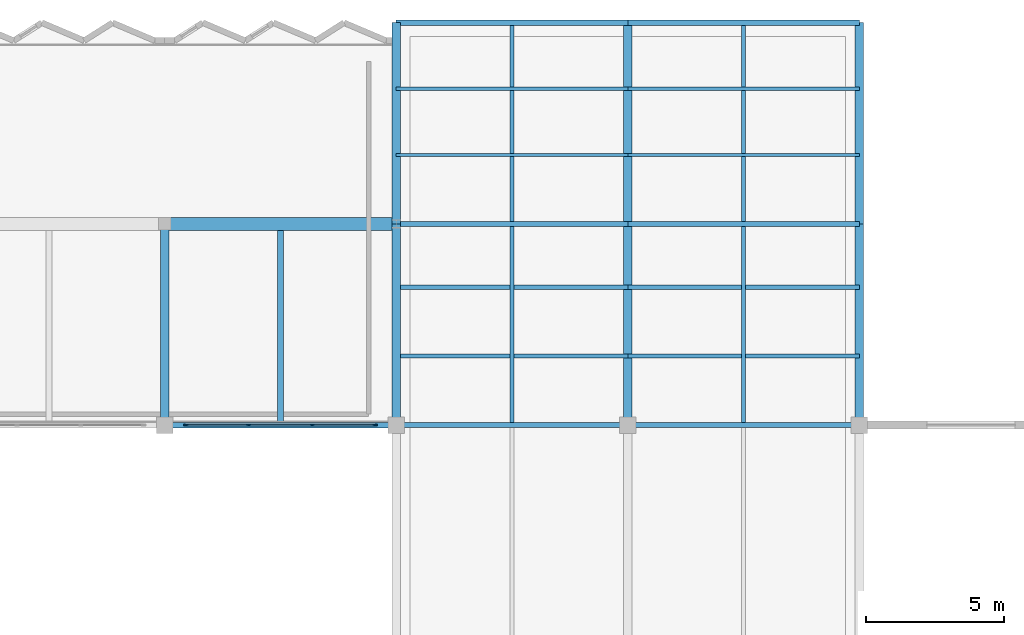
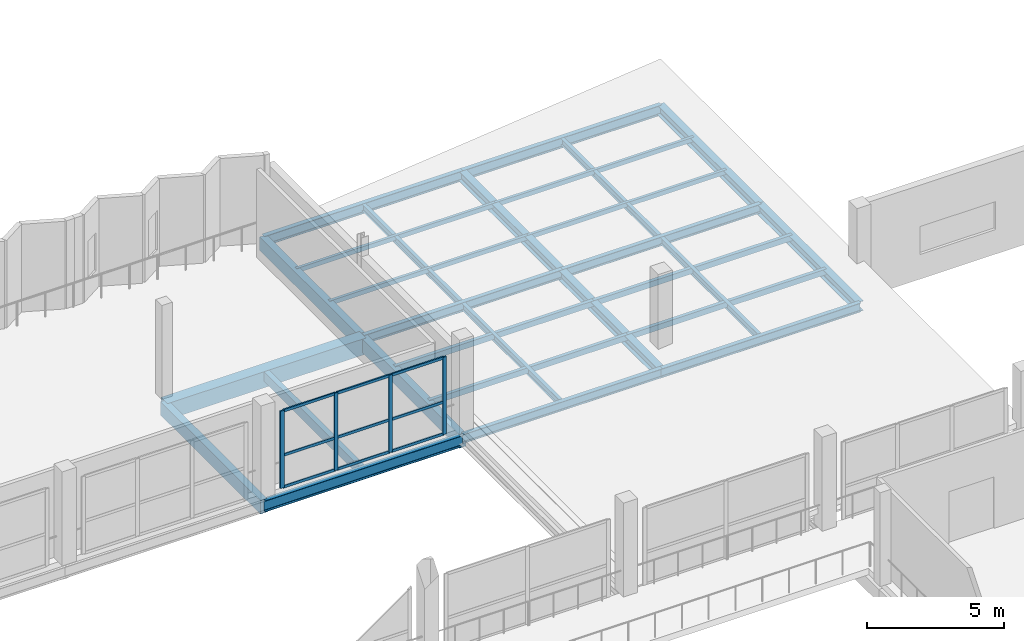
# One storey, part 28 of 53: 21 members, 20 beams, 1 element without a shape of its own.
"""IFC4 building model written with IfcOpenShell, lengths in metres."""

from ifc_helpers import new_model, si_unit, direction, frame, origin, origin_2d, place, context, subcontext, project, spatial, rectangle, hollow_rectangle, i_section, extrude, material, material_profile, profile_set, type_object, element, aggregate, save


model = new_model("IFC4")

# Units and contexts
model_context = context("Model", 3, precision=1e-05, world=origin(), true_north=direction((0.0, 1.0)))
body_context = subcontext(model_context, "Body", "Model", "MODEL_VIEW")
ifc_project = project(units=[si_unit("LENGTHUNIT", "METRE"), si_unit("AREAUNIT", "SQUARE_METRE"), si_unit("VOLUMEUNIT", "CUBIC_METRE"), si_unit("PLANEANGLEUNIT", "RADIAN"), si_unit("MASSUNIT", "GRAM", prefix="KILO")], contexts=[model_context])

# Site, building, storey
site_placement = place(None, origin())
site = spatial("IfcSite", under=ifc_project, at=site_placement, CompositionType="ELEMENT")
building_placement = place(site_placement, origin())
building = spatial("IfcBuilding", under=site, at=building_placement, Name="Vharandega Faculty of Natural Sciences", CompositionType="ELEMENT")
storey_placement = place(building_placement, frame((0.0, 0.0, 10.199951171875)))
storey = spatial("IfcBuildingStorey", under=building, at=storey_placement, Name="L02", CompositionType="ELEMENT", Elevation=10.199951171875)

# Curtain wall, members
ifc_material_1 = material(Name="Aluminium and solar-control glass curtain wall", Category="aluminium")
curtain_wall_type = type_object("IfcCurtainWallType", Name="Unitised Curtain Wall System CW-06", PredefinedType="NOTDEFINED", material=ifc_material_1)
curtain_wall_placement = place(storey_placement, origin())
curtain_wall = element("IfcCurtainWall", 1, at=curtain_wall_placement, inside=storey, type_object=curtain_wall_type, Name="Curtain Wall CW-L02-061", PredefinedType="NOTDEFINED")
ifc_material_2 = material(Name="Thermally broken aluminium 6063-T6", Category="aluminium")
ifc_material_profile_1 = material_profile(ifc_material_2, rectangle(XDim=0.06005859375, YDim=0.159912109375, at=origin_2d()), Name="ALU 60x160")
ifc_profile_set_1 = profile_set([ifc_material_profile_1], Name="Thermally broken aluminium 6063-T6")
member_type_1 = type_object("IfcMemberType", Name="CW Mullion 60x160", PredefinedType="MULLION", material=ifc_profile_set_1)
member_1_placement = place(storey_placement, frame((65.169921875, 97.0, 0.0), z_axis=(0.0, 0.0, 1.0), x_axis=(0.0, 1.0, 0.0)))
member_1 = element("IfcMember", 2, at=member_1_placement, type_object=member_type_1, Name="CW-06 mullion 1", PredefinedType="MULLION", context=body_context, shape_type="SweptSolid", body=[
    extrude(rectangle(XDim=0.06005859375, YDim=0.159912109375, at=origin_2d()), origin(), (0.0, 0.0, 1.0), 3.4599609375),
])
member_2_placement = place(storey_placement, frame((67.44677734375, 97.0, 0.0), z_axis=(0.0, 0.0, 1.0), x_axis=(0.0, 1.0, 0.0)))
member_2 = element("IfcMember", 3, at=member_2_placement, type_object=member_type_1, Name="CW-06 mullion 2", PredefinedType="MULLION", context=body_context, shape_type="SweptSolid", body=[
    extrude(rectangle(XDim=0.06005859375, YDim=0.159912109375, at=origin_2d()), origin(), (0.0, 0.0, 1.0), 3.4599609375),
])
member_3_placement = place(storey_placement, frame((69.75341796875, 97.0, 0.0), z_axis=(0.0, 0.0, 1.0), x_axis=(0.0, 1.0, 0.0)))
member_3 = element("IfcMember", 4, at=member_3_placement, type_object=member_type_1, Name="CW-06 mullion 3", PredefinedType="MULLION", context=body_context, shape_type="SweptSolid", body=[
    extrude(rectangle(XDim=0.06005859375, YDim=0.159912109375, at=origin_2d()), origin(), (0.0, 0.0, 1.0), 3.4599609375),
])
member_4_placement = place(storey_placement, frame((72.030029296875, 97.0, 0.0), z_axis=(0.0, 0.0, 1.0), x_axis=(0.0, 1.0, 0.0)))
member_4 = element("IfcMember", 5, at=member_4_placement, type_object=member_type_1, Name="CW-06 mullion 4", PredefinedType="MULLION", context=body_context, shape_type="SweptSolid", body=[
    extrude(rectangle(XDim=0.06005859375, YDim=0.159912109375, at=origin_2d()), origin(), (0.0, 0.0, 1.0), 3.4599609375),
])
ifc_material_3 = material(Name="Thermally broken aluminium 6063-T6", Category="aluminium")
ifc_material_profile_2 = material_profile(ifc_material_3, rectangle(XDim=0.06005859375, YDim=0.1201171875, at=origin_2d()), Name="ALU 60x120")
ifc_profile_set_2 = profile_set([ifc_material_profile_2], Name="Thermally broken aluminium 6063-T6")
member_type_2 = type_object("IfcMemberType", Name="CW Transom 60x120", PredefinedType="USERDEFINED", material=ifc_profile_set_2)
member_5_placement = place(storey_placement, frame((65.199951171875, 97.0, 0.030029296875), z_axis=(1.0, 0.0, 0.0), x_axis=(0.0, 1.0, 0.0)))
member_5 = element("IfcMember", 6, at=member_5_placement, type_object=member_type_2, Name="CW-06 transom 1.1", ObjectType="TRANSOM", PredefinedType="USERDEFINED", context=body_context, shape_type="SweptSolid", body=[
    extrude(rectangle(XDim=0.06005859375, YDim=0.1201171875, at=origin_2d()), origin(), (0.0, 0.0, 1.0), 2.216796875),
])
member_6_placement = place(storey_placement, frame((65.199951171875, 97.0, 1.453369140625), z_axis=(1.0, 0.0, 0.0), x_axis=(0.0, 1.0, 0.0)))
member_6 = element("IfcMember", 7, at=member_6_placement, type_object=member_type_2, Name="CW-06 transom 1.2", ObjectType="TRANSOM", PredefinedType="USERDEFINED", context=body_context, shape_type="SweptSolid", body=[
    extrude(rectangle(XDim=0.06005859375, YDim=0.1201171875, at=origin_2d()), origin(), (0.0, 0.0, 1.0), 2.216796875),
])
member_7_placement = place(storey_placement, frame((65.199951171875, 97.0, 3.429931640625), z_axis=(1.0, 0.0, 0.0), x_axis=(0.0, 1.0, 0.0)))
member_7 = element("IfcMember", 8, at=member_7_placement, type_object=member_type_2, Name="CW-06 transom 1.3", ObjectType="TRANSOM", PredefinedType="USERDEFINED", context=body_context, shape_type="SweptSolid", body=[
    extrude(rectangle(XDim=0.06005859375, YDim=0.1201171875, at=origin_2d()), origin(), (0.0, 0.0, 1.0), 2.216796875),
])
member_8_placement = place(storey_placement, frame((67.4765625, 97.0, 0.030029296875), z_axis=(1.0, 0.0, 0.0), x_axis=(0.0, 1.0, 0.0)))
member_8 = element("IfcMember", 9, at=member_8_placement, type_object=member_type_2, Name="CW-06 transom 2.1", ObjectType="TRANSOM", PredefinedType="USERDEFINED", context=body_context, shape_type="SweptSolid", body=[
    extrude(rectangle(XDim=0.06005859375, YDim=0.1201171875, at=origin_2d()), origin(), (0.0, 0.0, 1.0), 2.246826171875),
])
member_9_placement = place(storey_placement, frame((67.4765625, 97.0, 1.453369140625), z_axis=(1.0, 0.0, 0.0), x_axis=(0.0, 1.0, 0.0)))
member_9 = element("IfcMember", 10, at=member_9_placement, type_object=member_type_2, Name="CW-06 transom 2.2", ObjectType="TRANSOM", PredefinedType="USERDEFINED", context=body_context, shape_type="SweptSolid", body=[
    extrude(rectangle(XDim=0.06005859375, YDim=0.1201171875, at=origin_2d()), origin(), (0.0, 0.0, 1.0), 2.246826171875),
])
member_10_placement = place(storey_placement, frame((67.4765625, 97.0, 3.429931640625), z_axis=(1.0, 0.0, 0.0), x_axis=(0.0, 1.0, 0.0)))
member_10 = element("IfcMember", 11, at=member_10_placement, type_object=member_type_2, Name="CW-06 transom 2.3", ObjectType="TRANSOM", PredefinedType="USERDEFINED", context=body_context, shape_type="SweptSolid", body=[
    extrude(rectangle(XDim=0.06005859375, YDim=0.1201171875, at=origin_2d()), origin(), (0.0, 0.0, 1.0), 2.246826171875),
])
member_11_placement = place(storey_placement, frame((69.783447265625, 97.0, 0.030029296875), z_axis=(1.0, 0.0, 0.0), x_axis=(0.0, 1.0, 0.0)))
member_11 = element("IfcMember", 12, at=member_11_placement, type_object=member_type_2, Name="CW-06 transom 3.1", ObjectType="TRANSOM", PredefinedType="USERDEFINED", context=body_context, shape_type="SweptSolid", body=[
    extrude(rectangle(XDim=0.06005859375, YDim=0.1201171875, at=origin_2d()), origin(), (0.0, 0.0, 1.0), 2.216552734375),
])
member_12_placement = place(storey_placement, frame((69.783447265625, 97.0, 1.453369140625), z_axis=(1.0, 0.0, 0.0), x_axis=(0.0, 1.0, 0.0)))
member_12 = element("IfcMember", 13, at=member_12_placement, type_object=member_type_2, Name="CW-06 transom 3.2", ObjectType="TRANSOM", PredefinedType="USERDEFINED", context=body_context, shape_type="SweptSolid", body=[
    extrude(rectangle(XDim=0.06005859375, YDim=0.1201171875, at=origin_2d()), origin(), (0.0, 0.0, 1.0), 2.216552734375),
])
member_13_placement = place(storey_placement, frame((69.783447265625, 97.0, 3.429931640625), z_axis=(1.0, 0.0, 0.0), x_axis=(0.0, 1.0, 0.0)))
member_13 = element("IfcMember", 14, at=member_13_placement, type_object=member_type_2, Name="CW-06 transom 3.3", ObjectType="TRANSOM", PredefinedType="USERDEFINED", context=body_context, shape_type="SweptSolid", body=[
    extrude(rectangle(XDim=0.06005859375, YDim=0.1201171875, at=origin_2d()), origin(), (0.0, 0.0, 1.0), 2.216552734375),
])
aggregate(curtain_wall, [member_1, member_2, member_3, member_4, member_5, member_6, member_7, member_8, member_9, member_10, member_11, member_12, member_13])

# Members
ifc_material_4 = material(Name="Steel S355", Category="steel")
ifc_material_profile_3 = material_profile(ifc_material_4, hollow_rectangle(XDim=0.14990234375, YDim=0.25, WallThickness=0.010009765625, at=origin_2d()), Name="RHS 250x150x10")
ifc_profile_set_3 = profile_set([ifc_material_profile_3], Name="Steel S355")
member_type_3 = type_object("IfcMemberType", Name="Canopy Roof Purlin RHS 250x150", PredefinedType="PURLIN", material=ifc_profile_set_3)
for number, where, z_axis, x_axis, name in (
    (15, (72.800048828125, 99.5, -0.364990234375), (1.0, 0.0, 0.0), (0.0, 1.0, 0.0), "Portico Canopy Purlin 1-1"),
    (16, (72.800048828125, 102.0, -0.364990234375), (1.0, 0.0, 0.0), (0.0, 1.0, 0.0), "Portico Canopy Purlin 1-2"),
):
    element("IfcMember", number, at=place(storey_placement, frame(where, z_axis=z_axis, x_axis=x_axis)), inside=storey, type_object=member_type_3, Name=name, PredefinedType="PURLIN", context=body_context, shape_type="SweptSolid", body=[
        extrude(hollow_rectangle(XDim=0.14990234375, YDim=0.25, WallThickness=0.010009765625, at=origin_2d()), origin(), (0.0, 0.0, 1.0), 8.39990234375),
    ])
for number, where, z_axis, x_axis, name in (
    (17, (81.199951171875, 99.5, -0.364990234375), (1.0, 0.0, 0.0), (0.0, 1.0, 0.0), "Portico Canopy Purlin 2-1"),
    (18, (81.199951171875, 102.0, -0.364990234375), (1.0, 0.0, 0.0), (0.0, 1.0, 0.0), "Portico Canopy Purlin 2-2"),
):
    element("IfcMember", number, at=place(storey_placement, frame(where, z_axis=z_axis, x_axis=x_axis)), inside=storey, type_object=member_type_3, Name=name, PredefinedType="PURLIN", context=body_context, shape_type="SweptSolid", body=[
        extrude(hollow_rectangle(XDim=0.14990234375, YDim=0.25, WallThickness=0.010009765625, at=origin_2d()), origin(), (0.0, 0.0, 1.0), 8.400146484375),
    ])
ifc_material_5 = material(Name="Steel S355", Category="steel")
ifc_material_profile_4 = material_profile(ifc_material_5, hollow_rectangle(XDim=0.1201171875, YDim=0.199951171875, WallThickness=0.008056640625, at=origin_2d()), Name="RHS 200x120x8")
ifc_profile_set_4 = profile_set([ifc_material_profile_4], Name="Steel S355")
member_type_4 = type_object("IfcMemberType", Name="Canopy Secondary Purlin RHS 200x120", PredefinedType="PURLIN", material=ifc_profile_set_4)
for number, where, z_axis, x_axis, name in (
    (19, (72.800048828125, 106.800048828125, -0.33984375), (1.0, 0.0, 0.0), (0.0, 1.0, 0.0), "Portico Canopy Purlin 1-3"),
    (20, (72.800048828125, 109.199951171875, -0.33984375), (1.0, 0.0, 0.0), (0.0, 1.0, 0.0), "Portico Canopy Purlin 1-4"),
):
    element("IfcMember", number, at=place(storey_placement, frame(where, z_axis=z_axis, x_axis=x_axis)), inside=storey, type_object=member_type_4, Name=name, PredefinedType="PURLIN", context=body_context, shape_type="SweptSolid", body=[
        extrude(hollow_rectangle(XDim=0.1201171875, YDim=0.199951171875, WallThickness=0.008056640625, at=origin_2d()), origin(), (0.0, 0.0, 1.0), 8.39990234375),
    ])
for number, where, z_axis, x_axis, name in (
    (21, (81.199951171875, 106.800048828125, -0.33984375), (1.0, 0.0, 0.0), (0.0, 1.0, 0.0), "Portico Canopy Purlin 2-3"),
    (22, (81.199951171875, 109.199951171875, -0.33984375), (1.0, 0.0, 0.0), (0.0, 1.0, 0.0), "Portico Canopy Purlin 2-4"),
):
    element("IfcMember", number, at=place(storey_placement, frame(where, z_axis=z_axis, x_axis=x_axis)), inside=storey, type_object=member_type_4, Name=name, PredefinedType="PURLIN", context=body_context, shape_type="SweptSolid", body=[
        extrude(hollow_rectangle(XDim=0.1201171875, YDim=0.199951171875, WallThickness=0.008056640625, at=origin_2d()), origin(), (0.0, 0.0, 1.0), 8.400146484375),
    ])

# Beams
ifc_material_6 = material(Name="Glulam GL28h", Category="wood")
ifc_material_profile_5 = material_profile(ifc_material_6, rectangle(XDim=0.300048828125, YDim=0.60009765625, at=origin_2d()), Name="GL28h 300x600")
ifc_profile_set_5 = profile_set([ifc_material_profile_5], Name="Glulam GL28h")
beam_type_1 = type_object("IfcBeamType", Name="Glulam Floor Beam 300x600", PredefinedType="BEAM", material=ifc_profile_set_5)
for number, where, z_axis, x_axis, name in (
    (23, (64.39990234375, 97.0, -0.56005859375), (0.0, 1.0, 0.0), (-1.0, 0.0, 0.0), "Beam L02 9/N-P"),
    (24, (72.800048828125, 97.0, -0.56005859375), (0.0, 1.0, 0.0), (-1.0, 0.0, 0.0), "Beam L02 10/N-P"),
    (25, (72.800048828125, 104.300048828125, -0.56005859375), (0.0, 1.0, 0.0), (-1.0, 0.0, 0.0), "Beam L02 10/P-Q"),
):
    element("IfcBeam", number, at=place(storey_placement, frame(where, z_axis=z_axis, x_axis=x_axis)), inside=storey, type_object=beam_type_1, Name=name, PredefinedType="BEAM", context=body_context, shape_type="SweptSolid", body=[
        extrude(rectangle(XDim=0.300048828125, YDim=0.60009765625, at=origin_2d()), origin(), (0.0, 0.0, 1.0), 7.300048828125),
    ])
ifc_material_7 = material(Name="Glulam GL32h", Category="wood")
ifc_material_profile_6 = material_profile(ifc_material_7, rectangle(XDim=0.47998046875, YDim=0.719970703125, at=origin_2d()), Name="GL32h 480x720")
ifc_profile_set_6 = profile_set([ifc_material_profile_6], Name="Glulam GL32h")
beam_type_2 = type_object("IfcBeamType", Name="Glulam Primary Girder 480x720", PredefinedType="BEAM", material=ifc_profile_set_6)
beam_1_placement = place(storey_placement, frame((64.39990234375, 104.300048828125, -0.619873046875), z_axis=(1.0, 0.0, 0.0), x_axis=(0.0, 1.0, 0.0)))
element("IfcBeam", 26, at=beam_1_placement, inside=storey, type_object=beam_type_2, Name="Beam L02 P/9-10", PredefinedType="BEAM", context=body_context, shape_type="SweptSolid", body=[
    extrude(rectangle(XDim=0.47998046875, YDim=0.719970703125, at=origin_2d()), origin(), (0.0, 0.0, 1.0), 8.400146484375),
])
ifc_material_8 = material(Name="Glulam GL28h", Category="wood")
ifc_material_profile_7 = material_profile(ifc_material_8, rectangle(XDim=0.219970703125, YDim=0.43994140625, at=origin_2d()), Name="GL28h 220x440")
ifc_profile_set_7 = profile_set([ifc_material_profile_7], Name="Glulam GL28h")
beam_type_3 = type_object("IfcBeamType", Name="Glulam Secondary Joist 220x440", PredefinedType="JOIST", material=ifc_profile_set_7)
beam_2_placement = place(storey_placement, frame((68.60009765625, 97.10009765625, -0.47998046875), z_axis=(0.0, 1.0, 0.0), x_axis=(-1.0, 0.0, 0.0)))
element("IfcBeam", 27, at=beam_2_placement, inside=storey, type_object=beam_type_3, Name="Secondary Joist L02 9-10/N-P", PredefinedType="JOIST", context=body_context, shape_type="SweptSolid", body=[
    extrude(rectangle(XDim=0.219970703125, YDim=0.43994140625, at=origin_2d()), origin(), (0.0, 0.0, 1.0), 6.9599609375),
])
ifc_material_9 = material(Name="Steel S355", Category="steel")
ifc_material_profile_8 = material_profile(ifc_material_9, i_section(OverallWidth=0.300048828125, OverallDepth=0.43994140625, WebThickness=0.011474609375, FlangeThickness=0.02099609375, FilletRadius=0.027099609375, at=origin_2d()), Name="HEA 450")
ifc_profile_set_8 = profile_set([ifc_material_profile_8], Name="Steel S355")
beam_type_4 = type_object("IfcBeamType", Name="Steel Bridge Girder HEA 450", PredefinedType="BEAM", material=ifc_profile_set_8)
for number, where, z_axis, x_axis, name in (
    (28, (81.199951171875, 97.0, -0.4599609375), (0.0, 1.0, 0.0), (-1.0, 0.0, 0.0), "Beam L02 11/N-P"),
    (29, (81.199951171875, 104.300048828125, -0.4599609375), (0.0, 1.0, 0.0), (-1.0, 0.0, 0.0), "Beam L02 11/P-Q"),
    (30, (89.60009765625, 97.0, -0.4599609375), (0.0, 1.0, 0.0), (-1.0, 0.0, 0.0), "Beam L02 12/N-P"),
    (31, (89.60009765625, 104.300048828125, -0.4599609375), (0.0, 1.0, 0.0), (-1.0, 0.0, 0.0), "Beam L02 12/P-Q"),
):
    element("IfcBeam", number, at=place(storey_placement, frame(where, z_axis=z_axis, x_axis=x_axis)), inside=storey, type_object=beam_type_4, Name=name, PredefinedType="BEAM", context=body_context, shape_type="SweptSolid", body=[
        extrude(i_section(OverallWidth=0.300048828125, OverallDepth=0.43994140625, WebThickness=0.011474609375, FlangeThickness=0.02099609375, FilletRadius=0.027099609375, at=origin_2d()), origin(), (0.0, 0.0, 1.0), 7.300048828125),
    ])
ifc_material_10 = material(Name="Steel S355", Category="steel")
ifc_material_profile_9 = material_profile(ifc_material_10, i_section(OverallWidth=0.179931640625, OverallDepth=0.39990234375, WebThickness=0.008544921875, FlangeThickness=0.013427734375, FilletRadius=0.02099609375, at=origin_2d()), Name="IPE 400")
ifc_profile_set_9 = profile_set([ifc_material_profile_9], Name="Steel S355")
beam_type_5 = type_object("IfcBeamType", Name="Steel Canopy Beam IPE 400", PredefinedType="BEAM", material=ifc_profile_set_9)
beam_3_placement = place(storey_placement, frame((72.800048828125, 97.0, -0.43994140625), z_axis=(1.0, 0.0, 0.0), x_axis=(0.0, 1.0, 0.0)))
element("IfcBeam", 32, at=beam_3_placement, inside=storey, type_object=beam_type_5, Name="Beam L02 N/10-11", PredefinedType="BEAM", context=body_context, shape_type="SweptSolid", body=[
    extrude(i_section(OverallWidth=0.179931640625, OverallDepth=0.39990234375, WebThickness=0.008544921875, FlangeThickness=0.013427734375, FilletRadius=0.02099609375, at=origin_2d()), origin(), (0.0, 0.0, 1.0), 8.39990234375),
])
beam_4_placement = place(storey_placement, frame((81.199951171875, 97.0, -0.43994140625), z_axis=(1.0, 0.0, 0.0), x_axis=(0.0, 1.0, 0.0)))
element("IfcBeam", 33, at=beam_4_placement, inside=storey, type_object=beam_type_5, Name="Beam L02 N/11-12", PredefinedType="BEAM", context=body_context, shape_type="SweptSolid", body=[
    extrude(i_section(OverallWidth=0.179931640625, OverallDepth=0.39990234375, WebThickness=0.008544921875, FlangeThickness=0.013427734375, FilletRadius=0.02099609375, at=origin_2d()), origin(), (0.0, 0.0, 1.0), 8.400146484375),
])
beam_5_placement = place(storey_placement, frame((72.800048828125, 104.300048828125, -0.43994140625), z_axis=(1.0, 0.0, 0.0), x_axis=(0.0, 1.0, 0.0)))
element("IfcBeam", 34, at=beam_5_placement, inside=storey, type_object=beam_type_5, Name="Beam L02 P/10-11", PredefinedType="BEAM", context=body_context, shape_type="SweptSolid", body=[
    extrude(i_section(OverallWidth=0.179931640625, OverallDepth=0.39990234375, WebThickness=0.008544921875, FlangeThickness=0.013427734375, FilletRadius=0.02099609375, at=origin_2d()), origin(), (0.0, 0.0, 1.0), 8.39990234375),
])
beam_6_placement = place(storey_placement, frame((81.199951171875, 104.300048828125, -0.43994140625), z_axis=(1.0, 0.0, 0.0), x_axis=(0.0, 1.0, 0.0)))
element("IfcBeam", 35, at=beam_6_placement, inside=storey, type_object=beam_type_5, Name="Beam L02 P/11-12", PredefinedType="BEAM", context=body_context, shape_type="SweptSolid", body=[
    extrude(i_section(OverallWidth=0.179931640625, OverallDepth=0.39990234375, WebThickness=0.008544921875, FlangeThickness=0.013427734375, FilletRadius=0.02099609375, at=origin_2d()), origin(), (0.0, 0.0, 1.0), 8.400146484375),
])
ifc_material_11 = material(Name="Steel S355", Category="steel")
ifc_material_profile_10 = material_profile(ifc_material_11, i_section(OverallWidth=0.18994140625, OverallDepth=0.449951171875, WebThickness=0.009521484375, FlangeThickness=0.0146484375, FilletRadius=0.02099609375, at=origin_2d()), Name="IPE 450")
ifc_profile_set_10 = profile_set([ifc_material_profile_10], Name="Steel S355")
beam_type_6 = type_object("IfcBeamType", Name="Steel Canopy Beam IPE 450", PredefinedType="BEAM", material=ifc_profile_set_10)
beam_7_placement = place(storey_placement, frame((72.800048828125, 111.60009765625, -0.46484375), z_axis=(1.0, 0.0, 0.0), x_axis=(0.0, 1.0, 0.0)))
element("IfcBeam", 36, at=beam_7_placement, inside=storey, type_object=beam_type_6, Name="Beam L02 Q/10-11", PredefinedType="BEAM", context=body_context, shape_type="SweptSolid", body=[
    extrude(i_section(OverallWidth=0.18994140625, OverallDepth=0.449951171875, WebThickness=0.009521484375, FlangeThickness=0.0146484375, FilletRadius=0.02099609375, at=origin_2d()), origin(), (0.0, 0.0, 1.0), 8.39990234375),
])
beam_8_placement = place(storey_placement, frame((81.199951171875, 111.60009765625, -0.46484375), z_axis=(1.0, 0.0, 0.0), x_axis=(0.0, 1.0, 0.0)))
element("IfcBeam", 37, at=beam_8_placement, inside=storey, type_object=beam_type_6, Name="Beam L02 Q/11-12", PredefinedType="BEAM", context=body_context, shape_type="SweptSolid", body=[
    extrude(i_section(OverallWidth=0.18994140625, OverallDepth=0.449951171875, WebThickness=0.009521484375, FlangeThickness=0.0146484375, FilletRadius=0.02099609375, at=origin_2d()), origin(), (0.0, 0.0, 1.0), 8.400146484375),
])
ifc_material_12 = material(Name="Steel S355", Category="steel")
ifc_material_profile_11 = material_profile(ifc_material_12, i_section(OverallWidth=0.14990234375, OverallDepth=0.300048828125, WebThickness=0.007080078125, FlangeThickness=0.0107421875, FilletRadius=0.014892578125, at=origin_2d()), Name="IPE 300")
ifc_profile_set_11 = profile_set([ifc_material_profile_11], Name="Steel S355")
beam_type_7 = type_object("IfcBeamType", Name="Steel Canopy Joist IPE 300", PredefinedType="JOIST", material=ifc_profile_set_11)
beam_9_placement = place(storey_placement, frame((77.0, 97.090087890625, -0.389892578125), z_axis=(0.0, 1.0, 0.0), x_axis=(-1.0, 0.0, 0.0)))
element("IfcBeam", 38, at=beam_9_placement, inside=storey, type_object=beam_type_7, Name="Secondary Joist L02 10-11/N-P", PredefinedType="JOIST", context=body_context, shape_type="SweptSolid", body=[
    extrude(i_section(OverallWidth=0.14990234375, OverallDepth=0.300048828125, WebThickness=0.007080078125, FlangeThickness=0.0107421875, FilletRadius=0.014892578125, at=origin_2d()), origin(), (0.0, 0.0, 1.0), 7.119873046875),
])
beam_10_placement = place(storey_placement, frame((77.0, 104.389892578125, -0.389892578125), z_axis=(0.0, 1.0, 0.0), x_axis=(-1.0, 0.0, 0.0)))
element("IfcBeam", 39, at=beam_10_placement, inside=storey, type_object=beam_type_7, Name="Secondary Joist L02 10-11/P-Q", PredefinedType="JOIST", context=body_context, shape_type="SweptSolid", body=[
    extrude(i_section(OverallWidth=0.14990234375, OverallDepth=0.300048828125, WebThickness=0.007080078125, FlangeThickness=0.0107421875, FilletRadius=0.014892578125, at=origin_2d()), origin(), (0.0, 0.0, 1.0), 7.114990234375),
])
beam_11_placement = place(storey_placement, frame((85.39990234375, 97.090087890625, -0.389892578125), z_axis=(0.0, 1.0, 0.0), x_axis=(-1.0, 0.0, 0.0)))
element("IfcBeam", 40, at=beam_11_placement, inside=storey, type_object=beam_type_7, Name="Secondary Joist L02 11-12/N-P", PredefinedType="JOIST", context=body_context, shape_type="SweptSolid", body=[
    extrude(i_section(OverallWidth=0.14990234375, OverallDepth=0.300048828125, WebThickness=0.007080078125, FlangeThickness=0.0107421875, FilletRadius=0.014892578125, at=origin_2d()), origin(), (0.0, 0.0, 1.0), 7.119873046875),
])
beam_12_placement = place(storey_placement, frame((85.39990234375, 104.389892578125, -0.389892578125), z_axis=(0.0, 1.0, 0.0), x_axis=(-1.0, 0.0, 0.0)))
element("IfcBeam", 41, at=beam_12_placement, inside=storey, type_object=beam_type_7, Name="Secondary Joist L02 11-12/P-Q", PredefinedType="JOIST", context=body_context, shape_type="SweptSolid", body=[
    extrude(i_section(OverallWidth=0.14990234375, OverallDepth=0.300048828125, WebThickness=0.007080078125, FlangeThickness=0.0107421875, FilletRadius=0.014892578125, at=origin_2d()), origin(), (0.0, 0.0, 1.0), 7.114990234375),
])
ifc_material_13 = material(Name="Steel S355", Category="steel")
ifc_material_profile_12 = material_profile(ifc_material_13, i_section(OverallWidth=0.199951171875, OverallDepth=0.5, WebThickness=0.01025390625, FlangeThickness=0.01611328125, FilletRadius=0.02099609375, at=origin_2d()), Name="IPE 500")
ifc_profile_set_12 = profile_set([ifc_material_profile_12], Name="Steel S355")
beam_type_8 = type_object("IfcBeamType", Name="Steel Spandrel Beam IPE 500", PredefinedType="SPANDREL", material=ifc_profile_set_12)
beam_13_placement = place(storey_placement, frame((64.39990234375, 97.0, -0.510009765625), z_axis=(1.0, 0.0, 0.0), x_axis=(0.0, 1.0, 0.0)))
element("IfcBeam", 42, at=beam_13_placement, inside=storey, type_object=beam_type_8, Name="Beam L02 N/9-10", PredefinedType="SPANDREL", context=body_context, shape_type="SweptSolid", body=[
    extrude(i_section(OverallWidth=0.199951171875, OverallDepth=0.5, WebThickness=0.01025390625, FlangeThickness=0.01611328125, FilletRadius=0.02099609375, at=origin_2d()), origin(), (0.0, 0.0, 1.0), 8.400146484375),
])

save(model, "model.ifc")
